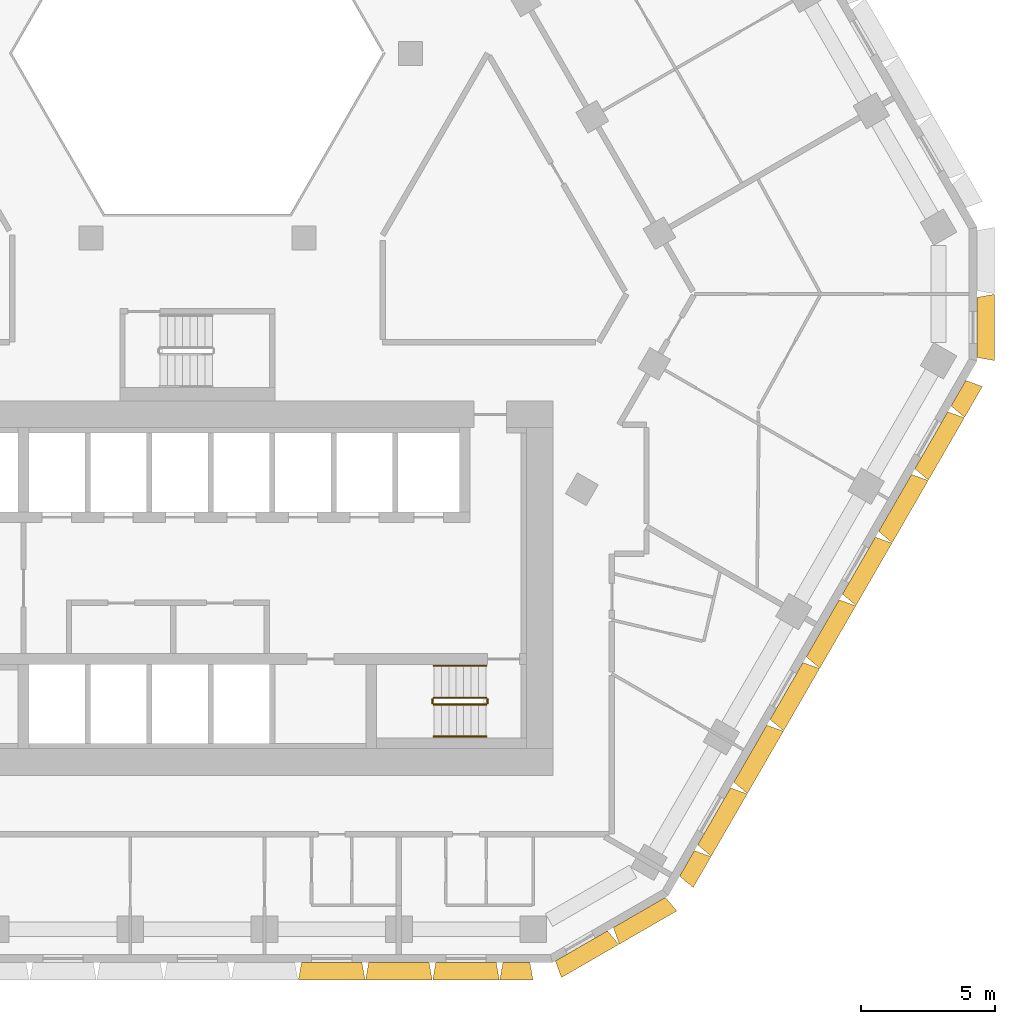
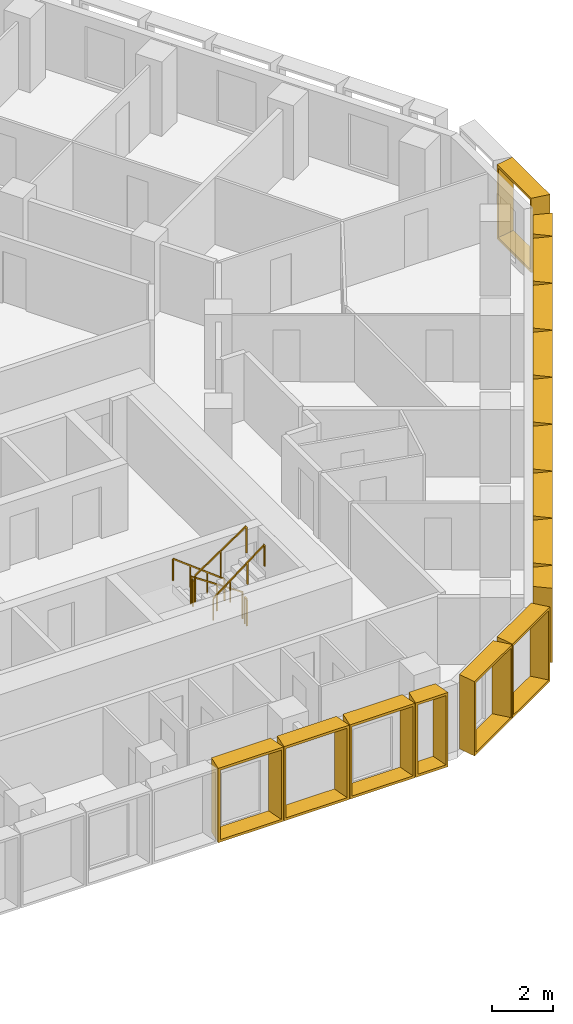
# One storey, part 14 of 15: 16 shading devices, 6 railings.
"""IFC4 building model written with IfcOpenShell, lengths in metres."""

from ifc_helpers import new_model, entity, si_unit, direction, frame, origin, origin_2d, place, context, subcontext, project, spatial, rectangle, extrude, source, transform, mapped, material, type_object, type_shapes, element, save


model = new_model("IFC4")

# Units and contexts
model_context = context("Model", 3, precision=1e-05, world=origin(), true_north=direction((0.0, 1.0)))
body_context = subcontext(model_context, "Body", "Model", "MODEL_VIEW")
ifc_project = project(units=[si_unit("LENGTHUNIT", "METRE"), si_unit("AREAUNIT", "SQUARE_METRE"), si_unit("VOLUMEUNIT", "CUBIC_METRE"), si_unit("PLANEANGLEUNIT", "RADIAN"), si_unit("MASSUNIT", "GRAM", prefix="KILO")], contexts=[model_context])

# Site, building, storey
site_placement = place(None, origin())
site = spatial("IfcSite", under=ifc_project, at=site_placement, CompositionType="ELEMENT")
building_placement = place(site_placement, origin())
building = spatial("IfcBuilding", under=site, at=building_placement, Name="Beryl Residences", CompositionType="ELEMENT")
storey_placement = place(building_placement, frame((0.0, 0.0, 72.0)))
storey = spatial("IfcBuildingStorey", under=building, at=storey_placement, Name="L21", CompositionType="ELEMENT", Elevation=72.0)

# Shading devices
ifc_material_1 = material(Name="Aluminium pale anodised", Category="aluminium")
shading_device_type_1 = type_object("IfcShadingDeviceType", Name="FR126-65A OUTER SKIN frame 650 mm deep, splay 10/10 deg, 1260 x 3000 mm cell", PredefinedType="USERDEFINED", material=ifc_material_1)
cartesian_point_1 = entity("IfcCartesianPoint", [-0.5048828125, 0.0])
cartesian_point_2 = entity("IfcCartesianPoint", [-0.423828125, 0.10009765625])
cartesian_point_3 = entity("IfcCartesianPoint", [-0.61962890625, 0.0])
cartesian_point_4 = entity("IfcCartesianPoint", [-0.538330078125, 0.10009765625])
shared_shape_1 = source(origin(), body_context, "Body", "SweptSolid", [
    entity("IfcExtrudedAreaSolidTapered", entity("IfcArbitraryProfileDefWithVoids", "AREA", None, entity("IfcPolyline", [cartesian_point_1, entity("IfcCartesianPoint", [0.5048828125, 0.0]), entity("IfcCartesianPoint", [0.5048828125, 3.0]), entity("IfcCartesianPoint", [-0.5048828125, 3.0]), cartesian_point_1]), [entity("IfcPolyline", [cartesian_point_2, entity("IfcCartesianPoint", [0.423828125, 0.10009765625]), entity("IfcCartesianPoint", [0.423828125, 2.89990234375]), entity("IfcCartesianPoint", [-0.423828125, 2.89990234375]), cartesian_point_2])]), entity("IfcAxis2Placement3D", entity("IfcCartesianPoint", [0.0, 0.0, 0.0]), entity("IfcDirection", [0.0, 1.0, 0.0]), entity("IfcDirection", [-1.0, 0.0, 0.0])), entity("IfcDirection", [0.0, 0.0, 1.0]), 0.64990234375, entity("IfcArbitraryProfileDefWithVoids", "AREA", None, entity("IfcPolyline", [cartesian_point_3, entity("IfcCartesianPoint", [0.61962890625, 0.0]), entity("IfcCartesianPoint", [0.61962890625, 3.0]), entity("IfcCartesianPoint", [-0.61962890625, 3.0]), cartesian_point_3]), [entity("IfcPolyline", [cartesian_point_4, entity("IfcCartesianPoint", [0.538330078125, 0.10009765625]), entity("IfcCartesianPoint", [0.538330078125, 2.89990234375]), entity("IfcCartesianPoint", [-0.538330078125, 2.89990234375]), cartesian_point_4])])),
])
type_shapes(shading_device_type_1, [shared_shape_1])
shading_device_placement = place(storey_placement, frame((11.929931640625, -26.0, 0.0), z_axis=(0.0, 0.0, 1.0), x_axis=(-1.0, 0.0, 0.0)))
element("IfcShadingDevice", 1, at=shading_device_placement, inside=storey, type_object=shading_device_type_1, Name="FR126-65A frame L21 S 11", ObjectType="OUTER SKIN", PredefinedType="USERDEFINED", context=body_context, shape_type="MappedRepresentation", body=[
    mapped(shared_shape_1, transform((0.0, 0.0, 0.0))),
])
ifc_material_2 = material(Name="Aluminium pale anodised", Category="aluminium")
shading_device_type_2 = type_object("IfcShadingDeviceType", Name="FR135-65A OUTER SKIN frame 650 mm deep, splay 10/10 deg, 1350 x 3000 mm cell", PredefinedType="USERDEFINED", material=ifc_material_2)
cartesian_point_5 = entity("IfcCartesianPoint", [-0.550048828125, 0.0])
cartesian_point_6 = entity("IfcCartesianPoint", [-0.46875, 0.10009765625])
cartesian_point_7 = entity("IfcCartesianPoint", [-0.66455078125, 0.0])
cartesian_point_8 = entity("IfcCartesianPoint", [-0.58349609375, 0.10009765625])
shared_shape_2 = source(origin(), body_context, "Body", "SweptSolid", [
    entity("IfcExtrudedAreaSolidTapered", entity("IfcArbitraryProfileDefWithVoids", "AREA", None, entity("IfcPolyline", [cartesian_point_5, entity("IfcCartesianPoint", [0.550048828125, 0.0]), entity("IfcCartesianPoint", [0.550048828125, 3.0]), entity("IfcCartesianPoint", [-0.550048828125, 3.0]), cartesian_point_5]), [entity("IfcPolyline", [cartesian_point_6, entity("IfcCartesianPoint", [0.46875, 0.10009765625]), entity("IfcCartesianPoint", [0.46875, 2.89990234375]), entity("IfcCartesianPoint", [-0.46875, 2.89990234375]), cartesian_point_6])]), entity("IfcAxis2Placement3D", entity("IfcCartesianPoint", [0.0, 0.0, 0.0]), entity("IfcDirection", [0.0, 1.0, 0.0]), entity("IfcDirection", [-1.0, 0.0, 0.0])), entity("IfcDirection", [0.0, 0.0, 1.0]), 0.64990234375, entity("IfcArbitraryProfileDefWithVoids", "AREA", None, entity("IfcPolyline", [cartesian_point_7, entity("IfcCartesianPoint", [0.66455078125, 0.0]), entity("IfcCartesianPoint", [0.66455078125, 3.0]), entity("IfcCartesianPoint", [-0.66455078125, 3.0]), cartesian_point_7]), [entity("IfcPolyline", [cartesian_point_8, entity("IfcCartesianPoint", [0.58349609375, 0.10009765625]), entity("IfcCartesianPoint", [0.58349609375, 2.89990234375]), entity("IfcCartesianPoint", [-0.58349609375, 2.89990234375]), cartesian_point_8])])),
])
type_shapes(shading_device_type_2, [shared_shape_2])
for number, where, z_axis, x_axis, name in (
    (2, (18.30810546875, -22.2900390625, 0.0), (0.0, 0.0, 1.0), (-0.5, -0.866025403784, 0.0), "FR135-65A frame L21 SE 1"),
    (3, (28.4580078125, -4.7099609375, 0.0), (0.0, 0.0, 1.0), (-0.5, -0.866025403784, 0.0), "FR135-65A frame L21 SE 9"),
):
    element("IfcShadingDevice", number, at=place(storey_placement, frame(where, z_axis=z_axis, x_axis=x_axis)), inside=storey, type_object=shading_device_type_2, Name=name, ObjectType="OUTER SKIN", PredefinedType="USERDEFINED", context=body_context, shape_type="MappedRepresentation", body=[
        mapped(shared_shape_2, transform((0.0, 0.0, 0.0))),
    ])
ifc_material_3 = material(Name="Aluminium pale anodised", Category="aluminium")
shading_device_type_3 = type_object("IfcShadingDeviceType", Name="FR250-65A OUTER SKIN frame 650 mm deep, splay 10/10 deg, 2500 x 3000 mm cell", PredefinedType="USERDEFINED", material=ifc_material_3)
cartesian_point_9 = entity("IfcCartesianPoint", [-1.125, 0.0])
cartesian_point_10 = entity("IfcCartesianPoint", [-1.043701171875, 0.10009765625])
cartesian_point_11 = entity("IfcCartesianPoint", [-1.239501953125, 0.0])
cartesian_point_12 = entity("IfcCartesianPoint", [-1.158447265625, 0.10009765625])
shared_shape_3 = source(origin(), body_context, "Body", "SweptSolid", [
    entity("IfcExtrudedAreaSolidTapered", entity("IfcArbitraryProfileDefWithVoids", "AREA", None, entity("IfcPolyline", [cartesian_point_9, entity("IfcCartesianPoint", [1.125, 0.0]), entity("IfcCartesianPoint", [1.125, 3.0]), entity("IfcCartesianPoint", [-1.125, 3.0]), cartesian_point_9]), [entity("IfcPolyline", [cartesian_point_10, entity("IfcCartesianPoint", [1.043701171875, 0.10009765625]), entity("IfcCartesianPoint", [1.043701171875, 2.89990234375]), entity("IfcCartesianPoint", [-1.043701171875, 2.89990234375]), cartesian_point_10])]), entity("IfcAxis2Placement3D", entity("IfcCartesianPoint", [0.0, 0.0, 0.0]), entity("IfcDirection", [0.0, 1.0, 0.0]), entity("IfcDirection", [-1.0, 0.0, 0.0])), entity("IfcDirection", [0.0, 0.0, 1.0]), 0.64990234375, entity("IfcArbitraryProfileDefWithVoids", "AREA", None, entity("IfcPolyline", [cartesian_point_11, entity("IfcCartesianPoint", [1.239501953125, 0.0]), entity("IfcCartesianPoint", [1.239501953125, 3.0]), entity("IfcCartesianPoint", [-1.239501953125, 3.0]), cartesian_point_11]), [entity("IfcPolyline", [cartesian_point_12, entity("IfcCartesianPoint", [1.158447265625, 0.10009765625]), entity("IfcCartesianPoint", [1.158447265625, 2.89990234375]), entity("IfcCartesianPoint", [-1.158447265625, 2.89990234375]), cartesian_point_12])])),
])
type_shapes(shading_device_type_3, [shared_shape_3])
for number, where, z_axis, x_axis, name in (
    (4, (14.361083984375, -25.375, 0.0), (0.0, 0.0, 1.0), (-0.866025403784, -0.5, 0.0), "FR250-65A frame L21 S-SE 1"),
    (5, (16.527099609375, -24.125, 0.0), (0.0, 0.0, 1.0), (-0.866025403784, -0.5, 0.0), "FR250-65A frame L21 S-SE 2"),
    (6, (29.156982421875, -2.25, 0.0), (0.0, 0.0, 1.0), (0.0, -1.0, 0.0), "FR250-65A frame L21 SE-NE 1"),
):
    element("IfcShadingDevice", number, at=place(storey_placement, frame(where, z_axis=z_axis, x_axis=x_axis)), inside=storey, type_object=shading_device_type_3, Name=name, ObjectType="OUTER SKIN", PredefinedType="USERDEFINED", context=body_context, shape_type="MappedRepresentation", body=[
        mapped(shared_shape_3, transform((0.0, 0.0, 0.0))),
    ])
ifc_material_4 = material(Name="Aluminium pale anodised", Category="aluminium")
shading_device_type_4 = type_object("IfcShadingDeviceType", Name="FR251-65A OUTER SKIN frame 650 mm deep, splay 10/10 deg, 2510 x 3000 mm cell", PredefinedType="USERDEFINED", material=ifc_material_4)
cartesian_point_13 = entity("IfcCartesianPoint", [-1.1298828125, 0.0])
cartesian_point_14 = entity("IfcCartesianPoint", [-1.048828125, 0.10009765625])
cartesian_point_15 = entity("IfcCartesianPoint", [-1.24462890625, 0.0])
cartesian_point_16 = entity("IfcCartesianPoint", [-1.163330078125, 0.10009765625])
shared_shape_4 = source(origin(), body_context, "Body", "SweptSolid", [
    entity("IfcExtrudedAreaSolidTapered", entity("IfcArbitraryProfileDefWithVoids", "AREA", None, entity("IfcPolyline", [cartesian_point_13, entity("IfcCartesianPoint", [1.1298828125, 0.0]), entity("IfcCartesianPoint", [1.1298828125, 3.0]), entity("IfcCartesianPoint", [-1.1298828125, 3.0]), cartesian_point_13]), [entity("IfcPolyline", [cartesian_point_14, entity("IfcCartesianPoint", [1.048828125, 0.10009765625]), entity("IfcCartesianPoint", [1.048828125, 2.89990234375]), entity("IfcCartesianPoint", [-1.048828125, 2.89990234375]), cartesian_point_14])]), entity("IfcAxis2Placement3D", entity("IfcCartesianPoint", [0.0, 0.0, 0.0]), entity("IfcDirection", [0.0, 1.0, 0.0]), entity("IfcDirection", [-1.0, 0.0, 0.0])), entity("IfcDirection", [0.0, 0.0, 1.0]), 0.64990234375, entity("IfcArbitraryProfileDefWithVoids", "AREA", None, entity("IfcPolyline", [cartesian_point_15, entity("IfcCartesianPoint", [1.24462890625, 0.0]), entity("IfcCartesianPoint", [1.24462890625, 3.0]), entity("IfcCartesianPoint", [-1.24462890625, 3.0]), cartesian_point_15]), [entity("IfcPolyline", [cartesian_point_16, entity("IfcCartesianPoint", [1.163330078125, 0.10009765625]), entity("IfcCartesianPoint", [1.163330078125, 2.89990234375]), entity("IfcCartesianPoint", [-1.163330078125, 2.89990234375]), cartesian_point_16])])),
])
type_shapes(shading_device_type_4, [shared_shape_4])
for number, where, z_axis, x_axis, name in (
    (7, (5.02392578125, -26.0, 0.0), (0.0, 0.0, 1.0), (-1.0, 0.0, 0.0), "FR251-65A frame L21 S 8"),
    (8, (7.534912109375, -26.0, 0.0), (0.0, 0.0, 1.0), (-1.0, 0.0, 0.0), "FR251-65A frame L21 S 9"),
    (9, (10.0458984375, -26.0, 0.0), (0.0, 0.0, 1.0), (-1.0, 0.0, 0.0), "FR251-65A frame L21 S 10"),
):
    element("IfcShadingDevice", number, at=place(storey_placement, frame(where, z_axis=z_axis, x_axis=x_axis)), inside=storey, type_object=shading_device_type_4, Name=name, ObjectType="OUTER SKIN", PredefinedType="USERDEFINED", context=body_context, shape_type="MappedRepresentation", body=[
        mapped(shared_shape_4, transform((0.0, 0.0, 0.0))),
    ])
ifc_material_5 = material(Name="Aluminium pale anodised", Category="aluminium")
shading_device_type_5 = type_object("IfcShadingDeviceType", Name="FR271-65A OUTER SKIN frame 650 mm deep, splay 10/10 deg, 2710 x 3000 mm cell", PredefinedType="USERDEFINED", material=ifc_material_5)
cartesian_point_17 = entity("IfcCartesianPoint", [-1.22998046875, 0.0])
cartesian_point_18 = entity("IfcCartesianPoint", [-1.148681640625, 0.10009765625])
cartesian_point_19 = entity("IfcCartesianPoint", [-1.3447265625, 0.0])
cartesian_point_20 = entity("IfcCartesianPoint", [-1.263427734375, 0.10009765625])
shared_shape_5 = source(origin(), body_context, "Body", "SweptSolid", [
    entity("IfcExtrudedAreaSolidTapered", entity("IfcArbitraryProfileDefWithVoids", "AREA", None, entity("IfcPolyline", [cartesian_point_17, entity("IfcCartesianPoint", [1.22998046875, 0.0]), entity("IfcCartesianPoint", [1.22998046875, 3.0]), entity("IfcCartesianPoint", [-1.22998046875, 3.0]), cartesian_point_17]), [entity("IfcPolyline", [cartesian_point_18, entity("IfcCartesianPoint", [1.148681640625, 0.10009765625]), entity("IfcCartesianPoint", [1.148681640625, 2.89990234375]), entity("IfcCartesianPoint", [-1.148681640625, 2.89990234375]), cartesian_point_18])]), entity("IfcAxis2Placement3D", entity("IfcCartesianPoint", [0.0, 0.0, 0.0]), entity("IfcDirection", [0.0, 1.0, 0.0]), entity("IfcDirection", [-1.0, 0.0, 0.0])), entity("IfcDirection", [0.0, 0.0, 1.0]), 0.64990234375, entity("IfcArbitraryProfileDefWithVoids", "AREA", None, entity("IfcPolyline", [cartesian_point_19, entity("IfcCartesianPoint", [1.3447265625, 0.0]), entity("IfcCartesianPoint", [1.3447265625, 3.0]), entity("IfcCartesianPoint", [-1.3447265625, 3.0]), cartesian_point_19]), [entity("IfcPolyline", [cartesian_point_20, entity("IfcCartesianPoint", [1.263427734375, 0.10009765625]), entity("IfcCartesianPoint", [1.263427734375, 2.89990234375]), entity("IfcCartesianPoint", [-1.263427734375, 2.89990234375]), cartesian_point_20])])),
])
type_shapes(shading_device_type_5, [shared_shape_5])
for number, where, z_axis, x_axis, name in (
    (10, (19.322998046875, -20.531982421875, 0.0), (0.0, 0.0, 1.0), (-0.5, -0.866025403784, 0.0), "FR271-65A frame L21 SE 2"),
    (11, (20.676025390625, -18.18798828125, 0.0), (0.0, 0.0, 1.0), (-0.5, -0.866025403784, 0.0), "FR271-65A frame L21 SE 3"),
    (12, (22.030029296875, -15.843994140625, 0.0), (0.0, 0.0, 1.0), (-0.5, -0.866025403784, 0.0), "FR271-65A frame L21 SE 4"),
    (13, (23.383056640625, -13.5, 0.0), (0.0, 0.0, 1.0), (-0.5, -0.866025403784, 0.0), "FR271-65A frame L21 SE 5"),
    (14, (24.736083984375, -11.156005859375, 0.0), (0.0, 0.0, 1.0), (-0.5, -0.866025403784, 0.0), "FR271-65A frame L21 SE 6"),
    (15, (26.090087890625, -8.81201171875, 0.0), (0.0, 0.0, 1.0), (-0.5, -0.866025403784, 0.0), "FR271-65A frame L21 SE 7"),
    (16, (27.443115234375, -6.468017578125, 0.0), (0.0, 0.0, 1.0), (-0.5, -0.866025403784, 0.0), "FR271-65A frame L21 SE 8"),
):
    element("IfcShadingDevice", number, at=place(storey_placement, frame(where, z_axis=z_axis, x_axis=x_axis)), inside=storey, type_object=shading_device_type_5, Name=name, ObjectType="OUTER SKIN", PredefinedType="USERDEFINED", context=body_context, shape_type="MappedRepresentation", body=[
        mapped(shared_shape_5, transform((0.0, 0.0, 0.0))),
    ])

# Railings
ifc_material_6 = material(Name="Stainless steel balustrade with glass infill", Category="steel")
railing_type_1 = type_object("IfcRailingType", Name="SG1 stair guard 1100 mm", PredefinedType="GUARDRAIL", material=ifc_material_6)
railing_1_placement = place(storey_placement, frame((10.800048828125, -16.10009765625, 0.1875)))
element("IfcRailing", 17, at=railing_1_placement, inside=storey, type_object=railing_type_1, Name="L21 ST-3 stair guard 1", PredefinedType="GUARDRAIL", context=body_context, shape_type="SweptSolid", body=[
    extrude(rectangle(XDim=0.048095703125, YDim=0.048095703125, at=origin_2d()), frame((0.0, 0.0, 1.076171875), z_axis=(-0.830902050051, 0.0, 0.556418712142), x_axis=(0.0, -1.0, 0.0)), (0.0, 0.0, 1.0), 2.35888671875),
    extrude(rectangle(XDim=0.0419921875, YDim=0.0419921875, at=origin_2d()), origin(), (0.0, 0.0, 1.0), 1.052001953125),
    extrude(rectangle(XDim=0.0419921875, YDim=0.0419921875, at=origin_2d()), frame((-0.97998046875, 0.0, 0.65625)), (0.0, 0.0, 1.0), 1.052001953125),
    extrude(rectangle(XDim=0.0419921875, YDim=0.0419921875, at=origin_2d()), frame((-1.9599609375, 0.0, 1.3125)), (0.0, 0.0, 1.0), 1.052001953125),
])
railing_2_placement = place(storey_placement, frame((8.7900390625, -16.14990234375, 1.5)))
element("IfcRailing", 18, at=railing_2_placement, inside=storey, type_object=railing_type_1, Name="L21 ST-3 stair guard 2", PredefinedType="GUARDRAIL", context=body_context, shape_type="SweptSolid", body=[
    extrude(rectangle(XDim=0.048095703125, YDim=0.048095703125, at=origin_2d()), frame((0.0, 0.0, 1.076171875), z_axis=(0.0, -1.0, 0.0), x_axis=(1.0, 0.0, 0.0)), (0.0, 0.0, 1.0), 0.150146484375),
    extrude(rectangle(XDim=0.0419921875, YDim=0.0419921875, at=origin_2d()), origin(), (0.0, 0.0, 1.0), 1.052001953125),
    extrude(rectangle(XDim=0.0419921875, YDim=0.0419921875, at=origin_2d()), frame((0.0, -0.150146484375, 0.0)), (0.0, 0.0, 1.0), 1.052001953125),
])
railing_3_placement = place(storey_placement, frame((8.840087890625, -16.35009765625, 1.6875)))
element("IfcRailing", 19, at=railing_3_placement, inside=storey, type_object=railing_type_1, Name="L21 ST-3 stair guard 3", PredefinedType="GUARDRAIL", context=body_context, shape_type="SweptSolid", body=[
    extrude(rectangle(XDim=0.048095703125, YDim=0.048095703125, at=origin_2d()), frame((0.0, 0.0, 1.076171875), z_axis=(0.830902050051, 0.0, 0.556418712142), x_axis=(0.0, 1.0, 0.0)), (0.0, 0.0, 1.0), 2.35888671875),
    extrude(rectangle(XDim=0.0419921875, YDim=0.0419921875, at=origin_2d()), origin(), (0.0, 0.0, 1.0), 1.052001953125),
    extrude(rectangle(XDim=0.0419921875, YDim=0.0419921875, at=origin_2d()), frame((0.97998046875, 0.0, 0.65625)), (0.0, 0.0, 1.0), 1.052001953125),
    extrude(rectangle(XDim=0.0419921875, YDim=0.0419921875, at=origin_2d()), frame((1.9599609375, 0.0, 1.3125)), (0.0, 0.0, 1.0), 1.052001953125),
])
railing_4_placement = place(storey_placement, frame((10.85009765625, -16.14990234375, 0.0)))
element("IfcRailing", 20, at=railing_4_placement, inside=storey, type_object=railing_type_1, Name="L21 ST-3 stair guard 4", PredefinedType="GUARDRAIL", context=body_context, shape_type="SweptSolid", body=[
    extrude(rectangle(XDim=0.048095703125, YDim=0.048095703125, at=origin_2d()), frame((0.0, 0.0, 1.076171875), z_axis=(0.0, -1.0, 0.0), x_axis=(1.0, 0.0, 0.0)), (0.0, 0.0, 1.0), 0.150146484375),
    extrude(rectangle(XDim=0.0419921875, YDim=0.0419921875, at=origin_2d()), origin(), (0.0, 0.0, 1.0), 1.052001953125),
    extrude(rectangle(XDim=0.0419921875, YDim=0.0419921875, at=origin_2d()), frame((0.0, -0.150146484375, 0.0)), (0.0, 0.0, 1.0), 1.052001953125),
])
ifc_material_7 = material(Name="Stainless steel handrail", Category="steel")
railing_type_2 = type_object("IfcRailingType", Name="SRL1 stair handrail 900 mm", PredefinedType="HANDRAIL", material=ifc_material_7)
railing_5_placement = place(storey_placement, frame((10.800048828125, -14.89990234375, 0.1875)))
element("IfcRailing", 21, at=railing_5_placement, inside=storey, type_object=railing_type_2, Name="L21 ST-3 stair handrail 1", PredefinedType="HANDRAIL", context=body_context, shape_type="SweptSolid", body=[
    extrude(rectangle(XDim=0.048095703125, YDim=0.048095703125, at=origin_2d()), frame((0.0, 0.0, 0.8759765625), z_axis=(-0.794121922505, 0.0, 0.607758481798), x_axis=(0.0, -1.0, 0.0)), (0.0, 0.0, 1.0), 2.468017578125),
    extrude(rectangle(XDim=0.0419921875, YDim=0.0419921875, at=origin_2d()), origin(), (0.0, 0.0, 1.0), 0.851806640625),
    extrude(rectangle(XDim=0.0419921875, YDim=0.0419921875, at=origin_2d()), frame((-0.6533203125, 0.0, 0.5)), (0.0, 0.0, 1.0), 0.851806640625),
    extrude(rectangle(XDim=0.0419921875, YDim=0.0419921875, at=origin_2d()), frame((-1.306640625, 0.0, 1.0)), (0.0, 0.0, 1.0), 0.851806640625),
    extrude(rectangle(XDim=0.0419921875, YDim=0.0419921875, at=origin_2d()), frame((-1.9599609375, 0.0, 1.5)), (0.0, 0.0, 1.0), 0.851806640625),
])
railing_6_placement = place(storey_placement, frame((8.840087890625, -17.550048828125, 1.6875)))
element("IfcRailing", 22, at=railing_6_placement, inside=storey, type_object=railing_type_2, Name="L21 ST-3 stair handrail 2", PredefinedType="HANDRAIL", context=body_context, shape_type="SweptSolid", body=[
    extrude(rectangle(XDim=0.048095703125, YDim=0.048095703125, at=origin_2d()), frame((0.0, 0.0, 0.8759765625), z_axis=(0.794121922505, 0.0, 0.607758481798), x_axis=(0.0, 1.0, 0.0)), (0.0, 0.0, 1.0), 2.468017578125),
    extrude(rectangle(XDim=0.0419921875, YDim=0.0419921875, at=origin_2d()), origin(), (0.0, 0.0, 1.0), 0.851806640625),
    extrude(rectangle(XDim=0.0419921875, YDim=0.0419921875, at=origin_2d()), frame((0.6533203125, 0.0, 0.5)), (0.0, 0.0, 1.0), 0.851806640625),
    extrude(rectangle(XDim=0.0419921875, YDim=0.0419921875, at=origin_2d()), frame((1.306640625, 0.0, 1.0)), (0.0, 0.0, 1.0), 0.851806640625),
    extrude(rectangle(XDim=0.0419921875, YDim=0.0419921875, at=origin_2d()), frame((1.9599609375, 0.0, 1.5)), (0.0, 0.0, 1.0), 0.851806640625),
])

save(model, "model.ifc")
